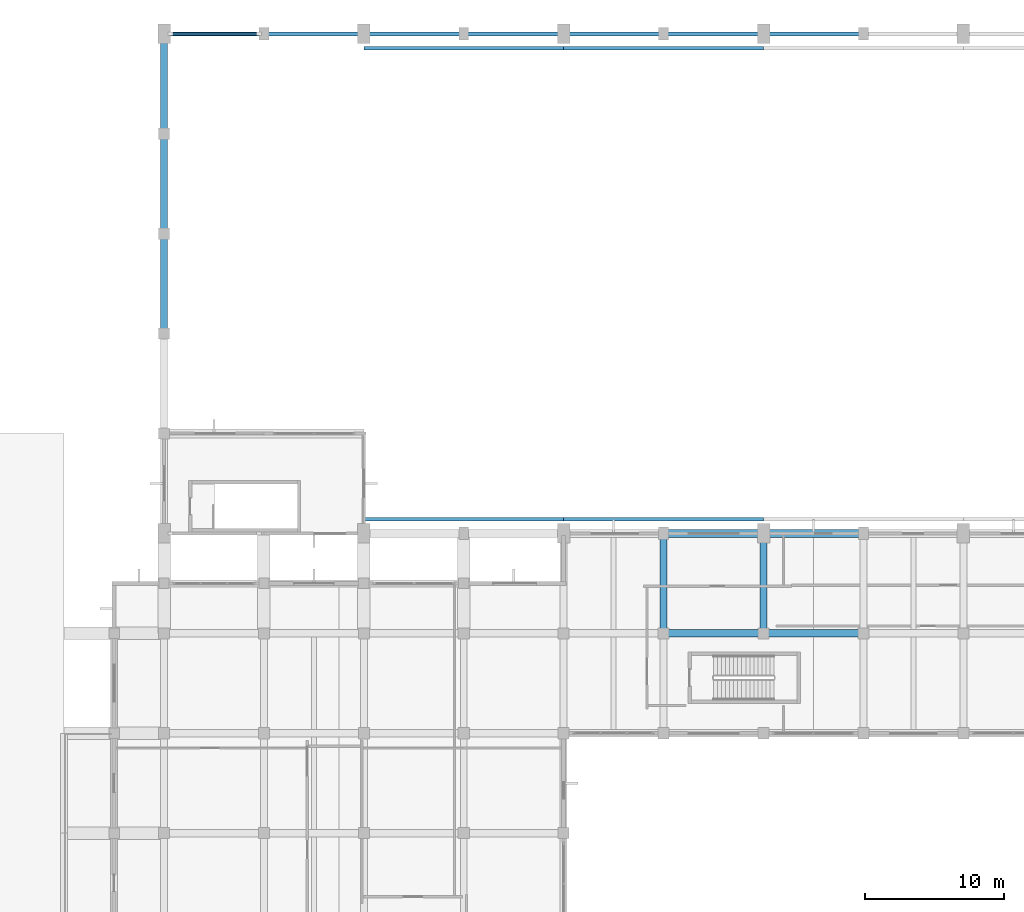
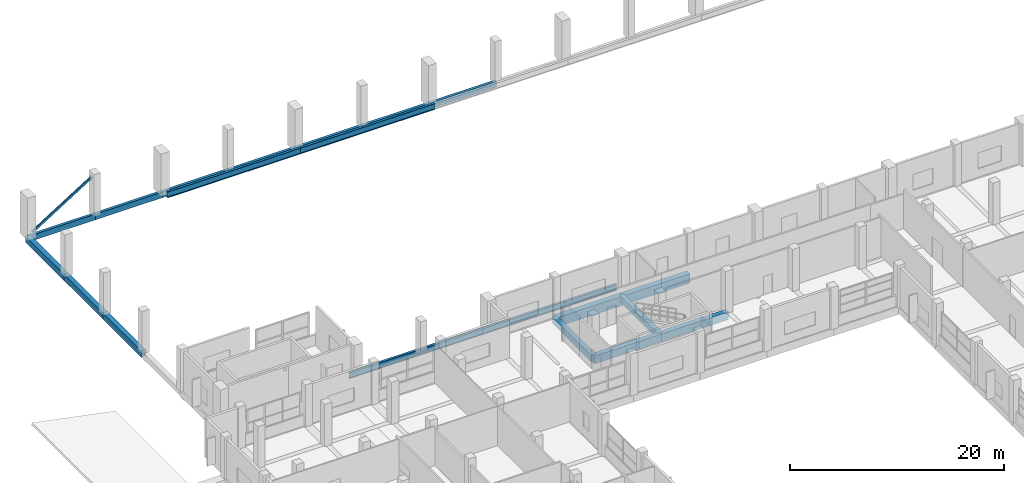
# One storey, part 67 of 140: 20 beams, 1 member.
"""IFC4 building model written with IfcOpenShell, lengths in metres."""

from ifc_helpers import new_model, si_unit, direction, frame, origin, origin_2d, place, context, subcontext, project, spatial, rectangle, hollow_rectangle, i_section, extrude, material, material_profile, profile_set, type_object, element, save


model = new_model("IFC4")

# Units and contexts
model_context = context("Model", 3, precision=1e-05, world=origin(), true_north=direction((0.0, 1.0)))
body_context = subcontext(model_context, "Body", "Model", "MODEL_VIEW")
ifc_project = project(units=[si_unit("LENGTHUNIT", "METRE"), si_unit("AREAUNIT", "SQUARE_METRE"), si_unit("VOLUMEUNIT", "CUBIC_METRE"), si_unit("PLANEANGLEUNIT", "RADIAN"), si_unit("MASSUNIT", "GRAM", prefix="KILO")], contexts=[model_context])

# Site, building, storey
site_placement = place(None, origin())
site = spatial("IfcSite", under=ifc_project, at=site_placement, CompositionType="ELEMENT")
building_placement = place(site_placement, origin())
building = spatial("IfcBuilding", under=site, at=building_placement, Name="Seraya Terrace Polytechnic", CompositionType="ELEMENT")
storey_placement = place(building_placement, frame((0.0, 0.0, 9.60009765625)))
storey = spatial("IfcBuildingStorey", under=building, at=storey_placement, Name="L02", CompositionType="ELEMENT", Elevation=9.60009765625)

# Beams
ifc_material_1 = material(Name="Concrete C40/50", Category="concrete")
ifc_material_profile_1 = material_profile(ifc_material_1, rectangle(XDim=0.60009765625, YDim=1.050048828125, at=origin_2d()), Name="RC 600x1050")
ifc_profile_set_1 = profile_set([ifc_material_profile_1], Name="Concrete C40/50")
beam_type_1 = type_object("IfcBeamType", Name="BM-01", PredefinedType="BEAM", material=ifc_profile_set_1)
beam_1_placement = place(storey_placement, frame((50.39990234375, 79.199951171875, -0.525146484375), z_axis=(1.0, 0.0, 0.0), x_axis=(0.0, 1.0, 0.0)))
element("IfcBeam", 1, at=beam_1_placement, inside=storey, type_object=beam_type_1, Name="Beam BM-01 L02 X (50.4..57.6, 79.2)", PredefinedType="BEAM", context=body_context, shape_type="SweptSolid", body=[
    extrude(rectangle(XDim=0.60009765625, YDim=1.050048828125, at=origin_2d()), origin(), (0.0, 0.0, 1.0), 7.2001953125),
])
beam_2_placement = place(storey_placement, frame((57.60009765625, 79.199951171875, -0.525146484375), z_axis=(1.0, 0.0, 0.0), x_axis=(0.0, 1.0, 0.0)))
element("IfcBeam", 2, at=beam_2_placement, inside=storey, type_object=beam_type_1, Name="Beam BM-01 L02 X (57.6..64.8, 79.2)", PredefinedType="BEAM", context=body_context, shape_type="SweptSolid", body=[
    extrude(rectangle(XDim=0.60009765625, YDim=1.050048828125, at=origin_2d()), origin(), (0.0, 0.0, 1.0), 7.199951171875),
])
ifc_material_profile_2 = material_profile(ifc_material_1, rectangle(XDim=0.52001953125, YDim=0.8798828125, at=origin_2d()), Name="RC 520x880")
ifc_profile_set_2 = profile_set([ifc_material_profile_2], Name="Concrete C40/50")
beam_type_2 = type_object("IfcBeamType", Name="BM-04", PredefinedType="BEAM", material=ifc_profile_set_2)
beam_3_placement = place(storey_placement, frame((50.39990234375, 72.0, -0.440185546875), z_axis=(1.0, 0.0, 0.0), x_axis=(0.0, 1.0, 0.0)))
element("IfcBeam", 3, at=beam_3_placement, inside=storey, type_object=beam_type_2, Name="Beam BM-04 L02 X (50.4..57.6, 72.0)", PredefinedType="BEAM", context=body_context, shape_type="SweptSolid", body=[
    extrude(rectangle(XDim=0.52001953125, YDim=0.8798828125, at=origin_2d()), origin(), (0.0, 0.0, 1.0), 7.2001953125),
])
beam_4_placement = place(storey_placement, frame((57.60009765625, 72.0, -0.440185546875), z_axis=(1.0, 0.0, 0.0), x_axis=(0.0, 1.0, 0.0)))
element("IfcBeam", 4, at=beam_4_placement, inside=storey, type_object=beam_type_2, Name="Beam BM-04 L02 X (57.6..64.8, 72.0)", PredefinedType="BEAM", context=body_context, shape_type="SweptSolid", body=[
    extrude(rectangle(XDim=0.52001953125, YDim=0.8798828125, at=origin_2d()), origin(), (0.0, 0.0, 1.0), 7.199951171875),
])
ifc_material_profile_3 = material_profile(ifc_material_1, rectangle(XDim=0.5, YDim=0.699951171875, at=origin_2d()), Name="RC 500x700")
ifc_profile_set_3 = profile_set([ifc_material_profile_3], Name="Concrete C40/50")
beam_type_3 = type_object("IfcBeamType", Name="BM-07", PredefinedType="BEAM", material=ifc_profile_set_3)
for number, where, z_axis, x_axis, name in (
    (5, (14.39990234375, 93.60009765625, -0.35009765625), (0.0, 1.0, 0.0), (-1.0, 0.0, 0.0), "Beam BM-07 L02 Y (14.4, 93.6..100.8)"),
    (6, (14.39990234375, 100.800048828125, -0.35009765625), (0.0, 1.0, 0.0), (-1.0, 0.0, 0.0), "Beam BM-07 L02 Y (14.4, 100.8..108.0)"),
    (7, (14.39990234375, 108.0, -0.35009765625), (0.0, 1.0, 0.0), (-1.0, 0.0, 0.0), "Beam BM-07 L02 Y (14.4, 108.0..115.2)"),
    (8, (50.39990234375, 72.0, -0.35009765625), (0.0, 1.0, 0.0), (-1.0, 0.0, 0.0), "Beam BM-07 L02 Y (50.4, 72.0..79.2)"),
    (9, (57.60009765625, 72.0, -0.35009765625), (0.0, 1.0, 0.0), (-1.0, 0.0, 0.0), "Beam BM-07 L02 Y (57.6, 72.0..79.2)"),
):
    element("IfcBeam", number, at=place(storey_placement, frame(where, z_axis=z_axis, x_axis=x_axis)), inside=storey, type_object=beam_type_3, Name=name, PredefinedType="BEAM", context=body_context, shape_type="SweptSolid", body=[
        extrude(rectangle(XDim=0.5, YDim=0.699951171875, at=origin_2d()), origin(), (0.0, 0.0, 1.0), 7.199951171875),
    ])

# Member
ifc_material_2 = material(Name="Steel S355J2", Category="steel")
ifc_material_profile_4 = material_profile(ifc_material_2, hollow_rectangle(XDim=0.14990234375, YDim=0.25, WallThickness=0.010009765625, at=origin_2d()), Name="RHS 250x150x10.0")
ifc_profile_set_4 = profile_set([ifc_material_profile_4], Name="Steel S355J2")
member_type = type_object("IfcMemberType", Name="BR-05", PredefinedType="BRACE", material=ifc_profile_set_4)
member_placement = place(storey_placement, frame((14.864990234375, 115.199951171875, 0.25), z_axis=(0.846880470544, 0.0, 0.531783291024), x_axis=(0.0, 1.0, 0.0)))
element("IfcMember", 10, at=member_placement, inside=storey, type_object=member_type, Name="Solid-bay vertical wind brace L02 NW", PredefinedType="BRACE", context=body_context, shape_type="SweptSolid", body=[
    extrude(hollow_rectangle(XDim=0.14990234375, YDim=0.25, WallThickness=0.010009765625, at=origin_2d()), origin(), (0.0, 0.0, 1.0), 7.52197265625),
])

# Beams
ifc_material_profile_5 = material_profile(ifc_material_2, i_section(OverallWidth=0.25390625, OverallDepth=0.68603515625, WebThickness=0.014404296875, FlangeThickness=0.023681640625, at=origin_2d()), Name="UKB 686x254x14.5x23.7")
ifc_profile_set_5 = profile_set([ifc_material_profile_5], Name="Steel S355J2")
beam_type_4 = type_object("IfcBeamType", Name="CRB-01", PredefinedType="USERDEFINED", material=ifc_profile_set_5)
for number, where, z_axis, x_axis, name in (
    (11, (43.199951171875, 80.219970703125, 0.2568359375), (1.0, 0.0, 0.0), (0.0, 1.0, 0.0), "Crane runway girder CRB-01 bay 2 (S)"),
    (12, (43.199951171875, 114.179931640625, 0.2568359375), (1.0, 0.0, 0.0), (0.0, 1.0, 0.0), "Crane runway girder CRB-01 bay 2 (N)"),
):
    element("IfcBeam", number, at=place(storey_placement, frame(where, z_axis=z_axis, x_axis=x_axis)), inside=storey, type_object=beam_type_4, Name=name, ObjectType="CRANE_RUNWAY_BEAM", PredefinedType="USERDEFINED", context=body_context, shape_type="SweptSolid", body=[
        extrude(i_section(OverallWidth=0.25390625, OverallDepth=0.68603515625, WebThickness=0.014404296875, FlangeThickness=0.023681640625, at=origin_2d()), origin(), (0.0, 0.0, 1.0), 14.400146484375),
    ])
ifc_material_profile_6 = material_profile(ifc_material_2, i_section(OverallWidth=0.25390625, OverallDepth=0.68603515625, WebThickness=0.012451171875, FlangeThickness=0.01904296875, at=origin_2d()), Name="UKB 686x254x12.4x19.0")
ifc_profile_set_6 = profile_set([ifc_material_profile_6], Name="Steel S355J2")
beam_type_5 = type_object("IfcBeamType", Name="CRB-02", PredefinedType="USERDEFINED", material=ifc_profile_set_6)
for number, where, z_axis, x_axis, name in (
    (13, (28.800048828125, 80.219970703125, 0.2568359375), (1.0, 0.0, 0.0), (0.0, 1.0, 0.0), "Crane runway girder CRB-02 bay 1 (S)"),
    (14, (28.800048828125, 114.179931640625, 0.2568359375), (1.0, 0.0, 0.0), (0.0, 1.0, 0.0), "Crane runway girder CRB-02 bay 1 (N)"),
):
    element("IfcBeam", number, at=place(storey_placement, frame(where, z_axis=z_axis, x_axis=x_axis)), inside=storey, type_object=beam_type_5, Name=name, ObjectType="CRANE_RUNWAY_BEAM", PredefinedType="USERDEFINED", context=body_context, shape_type="SweptSolid", body=[
        extrude(i_section(OverallWidth=0.25390625, OverallDepth=0.68603515625, WebThickness=0.012451171875, FlangeThickness=0.01904296875, at=origin_2d()), origin(), (0.0, 0.0, 1.0), 14.39990234375),
    ])
ifc_material_profile_7 = material_profile(ifc_material_1, rectangle(XDim=0.300048828125, YDim=0.64990234375, at=origin_2d()), Name="RC 300x650")
ifc_profile_set_7 = profile_set([ifc_material_profile_7], Name="Concrete C40/50")
beam_type_6 = type_object("IfcBeamType", Name="SP-01", PredefinedType="SPANDREL", material=ifc_profile_set_7)
beam_5_placement = place(storey_placement, frame((14.39990234375, 115.199951171875, -0.3251953125), z_axis=(1.0, 0.0, 0.0), x_axis=(0.0, 1.0, 0.0)))
element("IfcBeam", 15, at=beam_5_placement, inside=storey, type_object=beam_type_6, Name="Beam SP-01 L02 X (14.4..21.6, 115.2)", PredefinedType="SPANDREL", context=body_context, shape_type="SweptSolid", body=[
    extrude(rectangle(XDim=0.300048828125, YDim=0.64990234375, at=origin_2d()), origin(), (0.0, 0.0, 1.0), 7.2001953125),
])
for number, where, z_axis, x_axis, name in (
    (16, (21.60009765625, 115.199951171875, -0.3251953125), (1.0, 0.0, 0.0), (0.0, 1.0, 0.0), "Beam SP-01 L02 X (21.6..28.8, 115.2)"),
    (17, (28.800048828125, 115.199951171875, -0.3251953125), (1.0, 0.0, 0.0), (0.0, 1.0, 0.0), "Beam SP-01 L02 X (28.8..36.0, 115.2)"),
    (18, (36.0, 115.199951171875, -0.3251953125), (1.0, 0.0, 0.0), (0.0, 1.0, 0.0), "Beam SP-01 L02 X (36.0..43.2, 115.2)"),
    (19, (43.199951171875, 115.199951171875, -0.3251953125), (1.0, 0.0, 0.0), (0.0, 1.0, 0.0), "Beam SP-01 L02 X (43.2..50.4, 115.2)"),
):
    element("IfcBeam", number, at=place(storey_placement, frame(where, z_axis=z_axis, x_axis=x_axis)), inside=storey, type_object=beam_type_6, Name=name, PredefinedType="SPANDREL", context=body_context, shape_type="SweptSolid", body=[
        extrude(rectangle(XDim=0.300048828125, YDim=0.64990234375, at=origin_2d()), origin(), (0.0, 0.0, 1.0), 7.199951171875),
    ])
beam_6_placement = place(storey_placement, frame((50.39990234375, 115.199951171875, -0.3251953125), z_axis=(1.0, 0.0, 0.0), x_axis=(0.0, 1.0, 0.0)))
element("IfcBeam", 20, at=beam_6_placement, inside=storey, type_object=beam_type_6, Name="Beam SP-01 L02 X (50.4..57.6, 115.2)", PredefinedType="SPANDREL", context=body_context, shape_type="SweptSolid", body=[
    extrude(rectangle(XDim=0.300048828125, YDim=0.64990234375, at=origin_2d()), origin(), (0.0, 0.0, 1.0), 7.2001953125),
])
beam_7_placement = place(storey_placement, frame((57.60009765625, 115.199951171875, -0.3251953125), z_axis=(1.0, 0.0, 0.0), x_axis=(0.0, 1.0, 0.0)))
element("IfcBeam", 21, at=beam_7_placement, inside=storey, type_object=beam_type_6, Name="Beam SP-01 L02 X (57.6..64.8, 115.2)", PredefinedType="SPANDREL", context=body_context, shape_type="SweptSolid", body=[
    extrude(rectangle(XDim=0.300048828125, YDim=0.64990234375, at=origin_2d()), origin(), (0.0, 0.0, 1.0), 7.199951171875),
])

save(model, "model.ifc")
